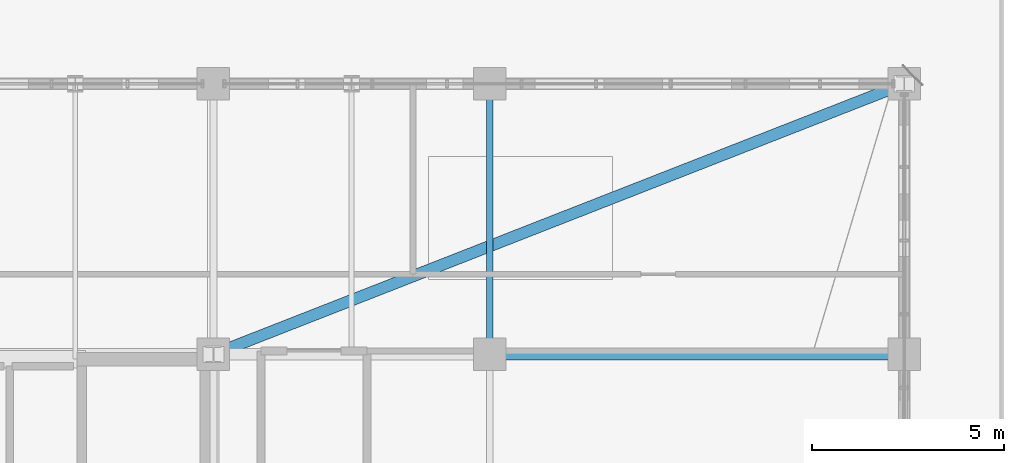
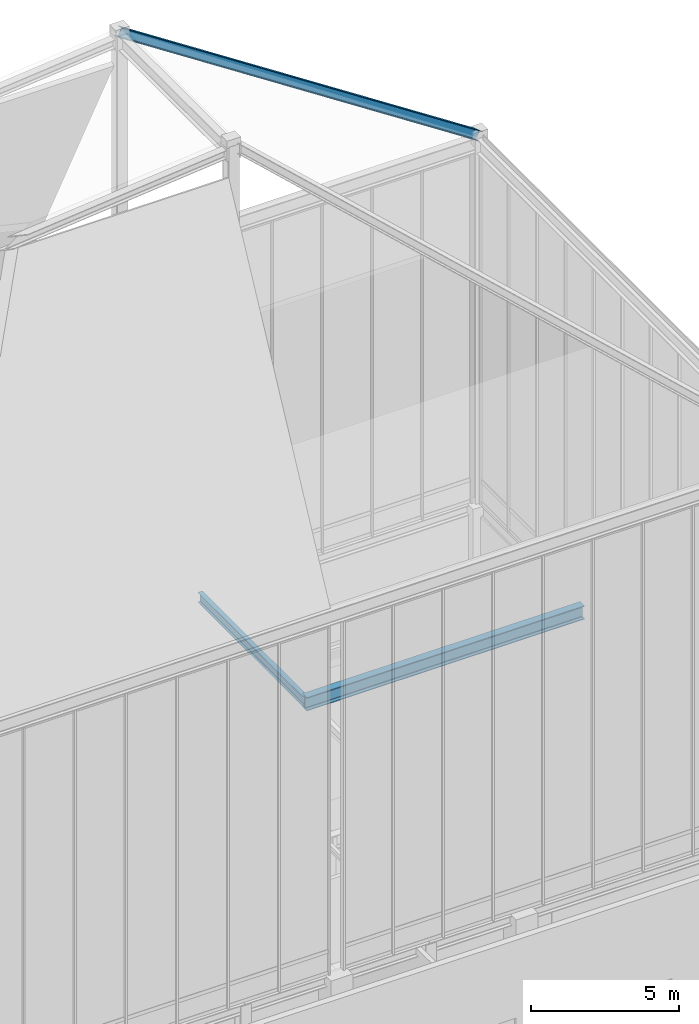
# One storey, part 36 of 49: 2 beams, 1 member.
"""IFC4 building model written with IfcOpenShell, lengths in metres."""

from ifc_helpers import new_model, si_unit, direction, frame, origin, origin_2d, place, context, subcontext, project, spatial, i_section, extrude, source, transform, mapped, material, material_profile, profile_set, type_object, element, save


model = new_model("IFC4")

# Units and contexts
model_context = context("Model", 3, precision=1e-05, world=origin(), true_north=direction((0.0, 1.0)))
body_context = subcontext(model_context, "Body", "Model", "MODEL_VIEW")
ifc_project = project(units=[si_unit("LENGTHUNIT", "METRE"), si_unit("AREAUNIT", "SQUARE_METRE"), si_unit("VOLUMEUNIT", "CUBIC_METRE"), si_unit("PLANEANGLEUNIT", "RADIAN"), si_unit("MASSUNIT", "GRAM", prefix="KILO")], contexts=[model_context])

# Site, building, storey
site_placement = place(None, origin())
site = spatial("IfcSite", under=ifc_project, at=site_placement, CompositionType="ELEMENT")
building_placement = place(site_placement, origin())
building = spatial("IfcBuilding", under=site, at=building_placement, Name="Kaliganga Portal Commons", CompositionType="ELEMENT")
storey_placement = place(building_placement, frame((0.0, 0.0, 298.0)))
storey = spatial("IfcBuildingStorey", under=building, at=storey_placement, Name="L77", CompositionType="ELEMENT", Elevation=298.0)

# Beams
ifc_material_1 = material(Name="Structural steel S355J2", Category="steel")
ifc_material_profile_1 = material_profile(ifc_material_1, i_section(OverallWidth=0.300048828125, OverallDepth=0.550048828125, WebThickness=0.014892578125, FlangeThickness=0.029052734375, FilletRadius=0.027099609375, at=origin_2d()), Name="HE 550 B")
ifc_profile_set_1 = profile_set([ifc_material_profile_1], Name="Structural steel S355J2 wide-flange")
beam_type_1 = type_object("IfcBeamType", Name="BM-GIRD-550", PredefinedType="USERDEFINED", material=ifc_profile_set_1)
shared_shape_1 = source(origin(), body_context, "Body", "SweptSolid", [
    extrude(i_section(OverallWidth=0.300048828125, OverallDepth=0.550048828125, WebThickness=0.014892578125, FlangeThickness=0.029052734375, FilletRadius=0.027099609375, at=origin_2d()), origin(), (0.0, 0.0, 1.0), 10.800048828125),
])
beam_1_placement = place(storey_placement, frame((36.0, 36.14990234375, 5.72509765625), z_axis=(1.0, 0.0, 0.0), x_axis=(0.0, 1.0, 0.0)))
element("IfcBeam", 1, at=beam_1_placement, inside=storey, type_object=beam_type_1, Name="BM G L77 WAE_N 2", ObjectType="GIRDER", PredefinedType="USERDEFINED", context=body_context, shape_type="MappedRepresentation", body=[
    mapped(shared_shape_1, transform((0.0, 0.0, 0.0), x_axis=(1.0, 0.0, 0.0), y_axis=(0.0, 1.0, 0.0), z_axis=(0.0, 0.0, 1.0), scale=1.0)),
])
ifc_material_profile_2 = material_profile(ifc_material_1, i_section(OverallWidth=0.179931640625, OverallDepth=0.39990234375, WebThickness=0.008544921875, FlangeThickness=0.013427734375, FilletRadius=0.02099609375, at=origin_2d()), Name="IPE 400")
ifc_profile_set_2 = profile_set([ifc_material_profile_2], Name="Structural steel S355J2 wide-flange")
beam_type_2 = type_object("IfcBeamType", Name="BM-FLR-400", PredefinedType="BEAM", material=ifc_profile_set_2)
shared_shape_2 = source(origin(), body_context, "Body", "SweptSolid", [
    extrude(i_section(OverallWidth=0.179931640625, OverallDepth=0.39990234375, WebThickness=0.008544921875, FlangeThickness=0.013427734375, FilletRadius=0.02099609375, at=origin_2d()), origin(), (0.0, 0.0, 1.0), 7.050048828125),
])
beam_2_placement = place(storey_placement, frame((36.0, 36.14990234375, 5.800048828125), z_axis=(0.0, 1.0, 0.0), x_axis=(-1.0, 0.0, 0.0)))
element("IfcBeam", 2, at=beam_2_placement, inside=storey, type_object=beam_type_2, Name="BM G L77 AN360", PredefinedType="BEAM", context=body_context, shape_type="MappedRepresentation", body=[
    mapped(shared_shape_2, transform((0.0, 0.0, 0.0), x_axis=(1.0, 0.0, 0.0), y_axis=(0.0, 1.0, 0.0), z_axis=(0.0, 0.0, 1.0), scale=1.0)),
])

# Member
ifc_material_2 = material(Name="Structural steel S460M", Category="steel")
ifc_material_profile_3 = material_profile(ifc_material_2, i_section(OverallWidth=0.300048828125, OverallDepth=0.360107421875, WebThickness=0.012451171875, FlangeThickness=0.0224609375, FilletRadius=0.027099609375, at=origin_2d()), Name="HE 360 B")
ifc_profile_set_3 = profile_set([ifc_material_profile_3], Name="Structural steel S460M wide-flange")
member_type = type_object("IfcMemberType", Name="MBR-CROWN-DIAG", PredefinedType="BRACE", material=ifc_profile_set_3)
shared_shape_3 = source(origin(), body_context, "Body", "SweptSolid", [
    extrude(i_section(OverallWidth=0.300048828125, OverallDepth=0.360107421875, WebThickness=0.012451171875, FlangeThickness=0.0224609375, FilletRadius=0.027099609375, at=origin_2d()), origin(), (0.0, 0.0, 1.0), 24.3525390625),
])
member_placement = place(storey_placement, frame((46.800048828125, 43.199951171875, 21.0), z_axis=(-0.739145839325, -0.28950079213, 0.608155177207), x_axis=(0.364694088123, -0.93112739305, 0.0)))
element("IfcMember", 3, at=member_placement, inside=storey, type_object=member_type, Name="Crown Frame Diagrid Brace CRD-03", PredefinedType="BRACE", context=body_context, shape_type="MappedRepresentation", body=[
    mapped(shared_shape_3, transform((0.0, 0.0, 0.0), x_axis=(1.0, 0.0, 0.0), y_axis=(0.0, 1.0, 0.0), z_axis=(0.0, 0.0, 1.0), scale=1.0)),
])

save(model, "model.ifc")
